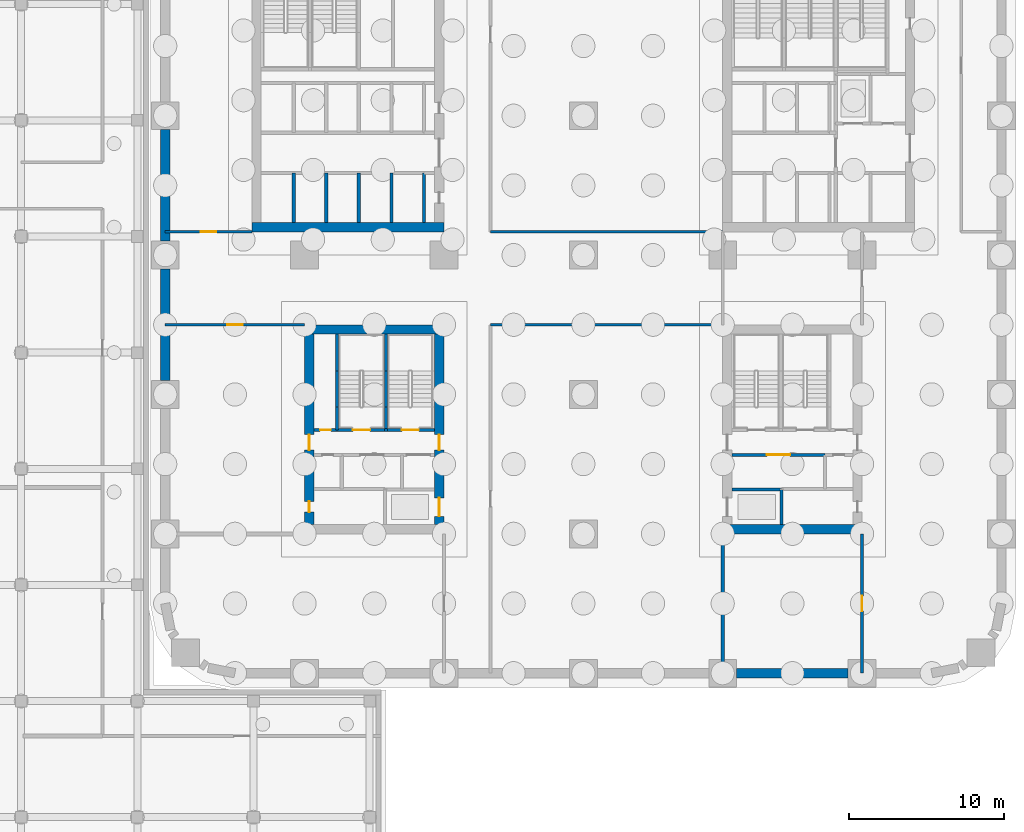
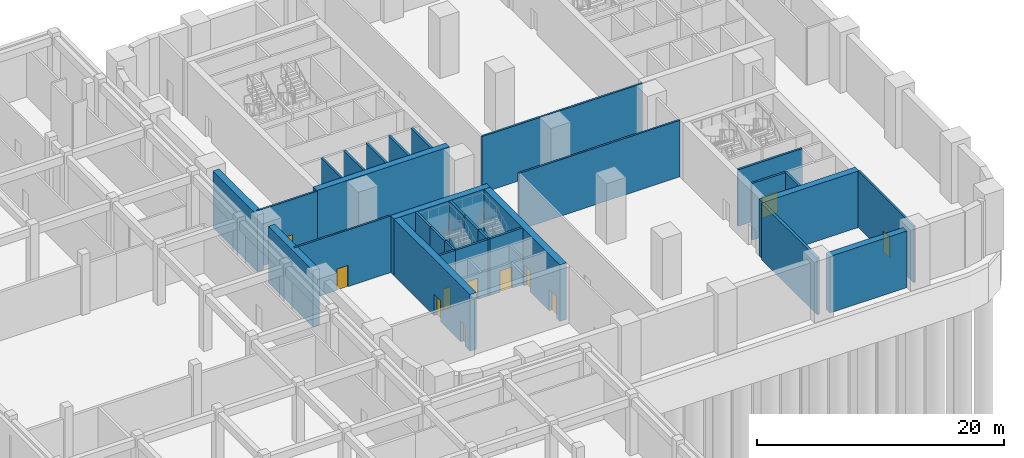
# One storey, part 8 of 26: 32 walls, 11 doors, 11 openings.
"""IFC4 building model written with IfcOpenShell, lengths in metres."""

from ifc_helpers import new_model, si_unit, direction, frame, frame_2d, origin, place, context, subcontext, project, spatial, rectangle, extrude, material, layer, layer_set, type_object, element, fill, save


model = new_model("IFC4")

# Units and contexts
model_context = context("Model", 3, precision=1e-05, world=origin(), true_north=direction((0.0, 1.0)))
body_context = subcontext(model_context, "Body", "Model", "MODEL_VIEW")
ifc_project = project(units=[si_unit("LENGTHUNIT", "METRE"), si_unit("AREAUNIT", "SQUARE_METRE"), si_unit("VOLUMEUNIT", "CUBIC_METRE"), si_unit("PLANEANGLEUNIT", "RADIAN"), si_unit("MASSUNIT", "GRAM", prefix="KILO")], contexts=[model_context])

# Site, building, storey
site_placement = place(None, origin())
site = spatial("IfcSite", under=ifc_project, at=site_placement, CompositionType="ELEMENT")
building_placement = place(site_placement, origin())
building = spatial("IfcBuilding", under=site, at=building_placement, Name="Tessera Arch", CompositionType="ELEMENT")
storey_placement = place(building_placement, frame((0.0, 0.0, -6.0)))
storey = spatial("IfcBuildingStorey", under=building, at=storey_placement, Name="B1", CompositionType="ELEMENT", Elevation=-6.0)

# Walls
ifc_material_1 = material(Name="Concrete C50/60", Category="concrete")
ifc_layer_1 = layer(ifc_material_1, 0.60009765625)
ifc_layer_set_1 = layer_set([ifc_layer_1], Name="Basement wall 600 Concrete C50/60")
wall_type_1 = type_object("IfcWallType", Name="Basement wall 600 Concrete C50/60", PredefinedType="SOLIDWALL", material=ifc_layer_set_1)
for number, where, z_axis, x_axis, name in (
    (1, (0.0, 35.10009765625, 0.0), (0.0, 0.0, 1.0), (0.0, -1.0, 0.0), "Basement wall B1 23"),
    (2, (0.0, 26.10009765625, 0.0), (0.0, 0.0, 1.0), (0.0, -1.0, 0.0), "Basement wall B1 24"),
    (3, (36.89990234375, 0.0, 0.0), (0.0, 0.0, 1.0), (1.0, 0.0, 0.0), "Basement wall B1 35"),
):
    element("IfcWall", number, at=place(storey_placement, frame(where, z_axis=z_axis, x_axis=x_axis)), inside=storey, type_object=wall_type_1, Name=name, PredefinedType="SOLIDWALL", context=body_context, shape_type="SweptSolid", body=[
        extrude(rectangle(XDim=7.2001953125, YDim=0.60009765625, at=frame_2d((3.60009765625, 0.0))), origin(), (0.0, 0.0, 1.0), 5.590087890625),
    ])

# Wall, opening, door
ifc_material_2 = material(Name="Gypsum board on steel stud", Category="steel")
ifc_layer_2 = layer(ifc_material_2, 0.125)
ifc_layer_set_2 = layer_set([ifc_layer_2], Name="Core partition 125 EI 60")
wall_type_2 = type_object("IfcWallType", Name="Core partition 125 EI 60", PredefinedType="PARTITIONING", material=ifc_layer_set_2)
wall_1_placement = place(storey_placement, frame((36.60009765625, 14.10009765625, 0.0), z_axis=(0.0, 0.0, 1.0), x_axis=(1.0, 0.0, 0.0)))
wall_1 = element("IfcWall", 4, at=wall_1_placement, inside=storey, type_object=wall_type_2, Name="B1 C3 partition wall 12", PredefinedType="PARTITIONING", context=body_context, shape_type="SweptSolid", body=[
    extrude(rectangle(XDim=6.0, YDim=0.199951171875, at=frame_2d((3.0, 0.0))), origin(), (0.0, 0.0, 1.0), 5.590087890625),
])
opening_1_placement = place(wall_1_placement, frame((2.25, 0.0, 0.0)))
opening_1 = element("IfcOpeningElement", 5, at=opening_1_placement, cuts=wall_1, Name="Opening B1-C33", PredefinedType="OPENING", context=body_context, shape_type="SweptSolid", body=[
    extrude(rectangle(XDim=1.5, YDim=2.10009765625, at=frame_2d((0.75, 1.050048828125))), frame((0.0, 0.10986328125, 0.0), z_axis=(0.0, -1.0, 0.0), x_axis=(1.0, 0.0, 0.0)), (0.0, 0.0, 1.0), 0.219970703125),
])
ifc_material_3 = material(Name="Steel door leaf", Category="steel")
door_type_1 = type_object("IfcDoorType", Name="Plant door FD60 1500 x 2100", OperationType="DOUBLE_DOOR_SINGLE_SWING", PredefinedType="DOOR", material=ifc_material_3)
door_1_placement = place(opening_1_placement, origin())
door_1 = element("IfcDoor", 6, at=door_1_placement, inside=storey, type_object=door_type_1, Name="B1 C3 door 9 C33 type D08", OperationType="DOUBLE_DOOR_SINGLE_SWING", OverallHeight=2.10009765625, OverallWidth=1.5, PredefinedType="DOOR", context=body_context, shape_type="SweptSolid", body=[
    extrude(rectangle(XDim=1.5, YDim=2.10009765625, at=frame_2d((0.75, 1.050048828125))), frame((0.0, 0.02490234375, 0.0), z_axis=(0.0, -1.0, 0.0), x_axis=(1.0, 0.0, 0.0)), (0.0, 0.0, 1.0), 0.050048828125),
])
fill(opening_1, door_1)

# Walls
ifc_material_4 = material(Name="Concrete C70/85", Category="concrete")
ifc_layer_3 = layer(ifc_material_4, 0.60009765625)
ifc_layer_set_3 = layer_set([ifc_layer_3], Name="Core shell wall 600 C70-85")
wall_type_3 = type_object("IfcWallType", Name="Core shell wall 600 C70-85", PredefinedType="SHEAR", material=ifc_layer_set_3)
wall_2_placement = place(storey_placement, frame((5.60009765625, 28.800048828125, 0.0), z_axis=(0.0, 0.0, 1.0), x_axis=(1.0, 0.0, 0.0)))
element("IfcWall", 7, at=wall_2_placement, inside=storey, type_object=wall_type_3, Name="B1 C2 core wall S", PredefinedType="SHEAR", context=body_context, shape_type="SweptSolid", body=[
    extrude(rectangle(XDim=12.39990234375, YDim=0.60009765625, at=frame_2d((6.199951171875, 0.0))), origin(), (0.0, 0.0, 1.0), 5.590087890625),
])
for number, where, z_axis, x_axis, name in (
    (8, (36.0, 9.300048828125, 0.0), (0.0, 0.0, 1.0), (1.0, 0.0, 0.0), "B1 C3 core wall S"),
    (9, (9.0, 22.199951171875, 0.0), (0.0, 0.0, 1.0), (1.0, 0.0, 0.0), "B1 C4 core wall N"),
):
    element("IfcWall", number, at=place(storey_placement, frame(where, z_axis=z_axis, x_axis=x_axis)), inside=storey, type_object=wall_type_3, Name=name, PredefinedType="SHEAR", context=body_context, shape_type="SweptSolid", body=[
        extrude(rectangle(XDim=9.0, YDim=0.60009765625, at=frame_2d((4.5, 0.0))), origin(), (0.0, 0.0, 1.0), 5.590087890625),
    ])

# Wall, openings, doors
wall_3_placement = place(storey_placement, frame((9.300048828125, 9.60009765625, 0.0), z_axis=(0.0, 0.0, 1.0), x_axis=(0.0, 1.0, 0.0)))
wall_3 = element("IfcWall", 10, at=wall_3_placement, inside=storey, type_object=wall_type_3, Name="B1 C4 core wall W", PredefinedType="SHEAR", context=body_context, shape_type="SweptSolid", body=[
    extrude(rectangle(XDim=12.2998046875, YDim=0.60009765625, at=frame_2d((6.14990234375, 0.0))), origin(), (0.0, 0.0, 1.0), 5.590087890625),
])
opening_2_placement = place(wall_3_placement, frame((0.800048828125, 0.0, 0.0)))
opening_2 = element("IfcOpeningElement", 11, at=opening_2_placement, cuts=wall_3, Name="Opening B1-C39", PredefinedType="OPENING", context=body_context, shape_type="SweptSolid", body=[
    extrude(rectangle(XDim=0.699951171875, YDim=2.10009765625, at=frame_2d((0.35009765625, 1.050048828125))), frame((0.0, 0.31005859375, 0.0), z_axis=(0.0, -1.0, 0.0), x_axis=(1.0, 0.0, 0.0)), (0.0, 0.0, 1.0), 0.6201171875),
])
opening_3_placement = place(wall_3_placement, frame((4.800048828125, 0.0, 0.0)))
opening_3 = element("IfcOpeningElement", 12, at=opening_3_placement, cuts=wall_3, Name="Opening B1-C41", PredefinedType="OPENING", context=body_context, shape_type="SweptSolid", body=[
    extrude(rectangle(XDim=1.0, YDim=2.10009765625, at=frame_2d((0.5, 1.050048828125))), frame((0.0, 0.31005859375, 0.0), z_axis=(0.0, -1.0, 0.0), x_axis=(1.0, 0.0, 0.0)), (0.0, 0.0, 1.0), 0.6201171875),
])
ifc_material_5 = material(Name="Steel door leaf", Category="steel")
door_type_2 = type_object("IfcDoorType", Name="Corridor door FD60 1000 x 2100", OperationType="SINGLE_SWING_LEFT", PredefinedType="DOOR", material=ifc_material_5)
door_2_placement = place(opening_3_placement, origin())
door_2 = element("IfcDoor", 13, at=door_2_placement, inside=storey, type_object=door_type_2, Name="B1 C4 door 8 C41 type D12", OperationType="SINGLE_SWING_LEFT", OverallHeight=2.10009765625, OverallWidth=1.0, PredefinedType="DOOR", context=body_context, shape_type="SweptSolid", body=[
    extrude(rectangle(XDim=1.0, YDim=2.10009765625, at=frame_2d((0.5, 1.050048828125))), frame((0.0, 0.02490234375, 0.0), z_axis=(0.0, -1.0, 0.0), x_axis=(1.0, 0.0, 0.0)), (0.0, 0.0, 1.0), 0.050048828125),
])
fill(opening_3, door_2)
ifc_material_6 = material(Name="Steel door leaf", Category="steel")
door_type_3 = type_object("IfcDoorType", Name="Service shaft door FD60 700 x 2100", OperationType="SINGLE_SWING_LEFT", PredefinedType="DOOR", material=ifc_material_6)
door_3_placement = place(opening_2_placement, origin())
door_3 = element("IfcDoor", 14, at=door_3_placement, inside=storey, type_object=door_type_3, Name="B1 C4 door 6 C39 type D07", OperationType="SINGLE_SWING_LEFT", OverallHeight=2.10009765625, OverallWidth=0.699951171875, PredefinedType="DOOR", context=body_context, shape_type="SweptSolid", body=[
    extrude(rectangle(XDim=0.699951171875, YDim=2.10009765625, at=frame_2d((0.35009765625, 1.050048828125))), frame((0.0, 0.02490234375, 0.0), z_axis=(0.0, -1.0, 0.0), x_axis=(1.0, 0.0, 0.0)), (0.0, 0.0, 1.0), 0.050048828125),
])
fill(opening_2, door_3)

wall_4_placement = place(storey_placement, frame((17.699951171875, 9.60009765625, 0.0), z_axis=(0.0, 0.0, 1.0), x_axis=(0.0, 1.0, 0.0)))
wall_4 = element("IfcWall", 15, at=wall_4_placement, inside=storey, type_object=wall_type_3, Name="B1 C4 core wall E", PredefinedType="SHEAR", context=body_context, shape_type="SweptSolid", body=[
    extrude(rectangle(XDim=12.2998046875, YDim=0.60009765625, at=frame_2d((6.14990234375, 0.0))), origin(), (0.0, 0.0, 1.0), 5.590087890625),
])
opening_4_placement = place(wall_4_placement, frame((0.52490234375, 0.0, 0.0)))
opening_4 = element("IfcOpeningElement", 16, at=opening_4_placement, cuts=wall_4, Name="Opening B1-C34", PredefinedType="OPENING", context=body_context, shape_type="SweptSolid", body=[
    extrude(rectangle(XDim=1.199951171875, YDim=2.10009765625, at=frame_2d((0.60009765625, 1.050048828125))), frame((0.0, 0.31005859375, 0.0), z_axis=(0.0, -1.0, 0.0), x_axis=(1.0, 0.0, 0.0)), (0.0, 0.0, 1.0), 0.6201171875),
])
opening_5_placement = place(wall_4_placement, frame((4.800048828125, 0.0, 0.0)))
opening_5 = element("IfcOpeningElement", 17, at=opening_5_placement, cuts=wall_4, Name="Opening B1-C40", PredefinedType="OPENING", context=body_context, shape_type="SweptSolid", body=[
    extrude(rectangle(XDim=1.0, YDim=2.10009765625, at=frame_2d((0.5, 1.050048828125))), frame((0.0, 0.31005859375, 0.0), z_axis=(0.0, -1.0, 0.0), x_axis=(1.0, 0.0, 0.0)), (0.0, 0.0, 1.0), 0.6201171875),
])
door_4_placement = place(opening_5_placement, origin())
door_4 = element("IfcDoor", 18, at=door_4_placement, inside=storey, type_object=door_type_2, Name="B1 C4 door 7 C40 type D12", OperationType="SINGLE_SWING_LEFT", OverallHeight=2.10009765625, OverallWidth=1.0, PredefinedType="DOOR", context=body_context, shape_type="SweptSolid", body=[
    extrude(rectangle(XDim=1.0, YDim=2.10009765625, at=frame_2d((0.5, 1.050048828125))), frame((0.0, 0.02490234375, 0.0), z_axis=(0.0, -1.0, 0.0), x_axis=(1.0, 0.0, 0.0)), (0.0, 0.0, 1.0), 0.050048828125),
])
fill(opening_5, door_4)
ifc_material_7 = material(Name="Stainless steel AISI 304", Category="steel")
door_type_4 = type_object("IfcDoorType", Name="Sliding landing door 1200 x 2100", OperationType="SLIDING_TO_LEFT", PredefinedType="DOOR", material=ifc_material_7)
door_5_placement = place(opening_4_placement, origin())
door_5 = element("IfcDoor", 19, at=door_5_placement, inside=storey, type_object=door_type_4, Name="B1 SV3 lift landing door C34 type LD", OperationType="SLIDING_TO_LEFT", OverallHeight=2.10009765625, OverallWidth=1.199951171875, PredefinedType="DOOR", context=body_context, shape_type="SweptSolid", body=[
    extrude(rectangle(XDim=1.199951171875, YDim=2.10009765625, at=frame_2d((0.60009765625, 1.050048828125))), frame((0.0, 0.02490234375, 0.0), z_axis=(0.0, -1.0, 0.0), x_axis=(1.0, 0.0, 0.0)), (0.0, 0.0, 1.0), 0.050048828125),
])
fill(opening_4, door_5)

# Wall, opening, door
ifc_material_8 = material(Name="Gypsum board on deep steel stud with mineral wool", Category="steel")
ifc_layer_4 = layer(ifc_material_8, 0.175048828125)
ifc_layer_set_4 = layer_set([ifc_layer_4], Name="Corridor wall 175 EI 60")
wall_type_4 = type_object("IfcWallType", Name="Corridor wall 175 EI 60", PredefinedType="PARTITIONING", material=ifc_layer_set_4)
wall_5_placement = place(storey_placement, frame((0.0, 22.5, 0.0), z_axis=(0.0, 0.0, 1.0), x_axis=(1.0, 0.0, 0.0)))
wall_5 = element("IfcWall", 20, at=wall_5_placement, inside=storey, type_object=wall_type_4, Name="B1 partition 2", PredefinedType="PARTITIONING", context=body_context, shape_type="SweptSolid", body=[
    extrude(rectangle(XDim=9.0, YDim=0.175048828125, at=frame_2d((4.5, 0.0))), origin(), (0.0, 0.0, 1.0), 5.590087890625),
])
opening_6_placement = place(wall_5_placement, frame((4.0, 0.0, 0.0)))
opening_6 = element("IfcOpeningElement", 21, at=opening_6_placement, cuts=wall_5, Name="Opening B1-D010", PredefinedType="OPENING", context=body_context, shape_type="SweptSolid", body=[
    extrude(rectangle(XDim=1.0, YDim=2.10009765625, at=frame_2d((0.5, 1.050048828125))), frame((0.0, 0.097412109375, 0.0), z_axis=(0.0, -1.0, 0.0), x_axis=(1.0, 0.0, 0.0)), (0.0, 0.0, 1.0), 0.195068359375),
])
ifc_material_9 = material(Name="Fire-rated door leaf")
door_type_5 = type_object("IfcDoorType", Name="Entrance door FD60 1000 x 2100", OperationType="SINGLE_SWING_LEFT", PredefinedType="DOOR", material=ifc_material_9)
door_6_placement = place(opening_6_placement, origin())
door_6 = element("IfcDoor", 22, at=door_6_placement, inside=storey, type_object=door_type_5, Name="B1 door D010 type D16", OperationType="SINGLE_SWING_LEFT", OverallHeight=2.10009765625, OverallWidth=1.0, PredefinedType="DOOR", context=body_context, shape_type="SweptSolid", body=[
    extrude(rectangle(XDim=1.0, YDim=2.10009765625, at=frame_2d((0.5, 1.050048828125))), frame((0.0, 0.02490234375, 0.0), z_axis=(0.0, -1.0, 0.0), x_axis=(1.0, 0.0, 0.0)), (0.0, 0.0, 1.0), 0.050048828125),
])
fill(opening_6, door_6)

# Wall
wall_6_placement = place(storey_placement, frame((21.0, 22.5, 0.0), z_axis=(0.0, 0.0, 1.0), x_axis=(1.0, 0.0, 0.0)))
element("IfcWall", 23, at=wall_6_placement, inside=storey, type_object=wall_type_4, Name="B1 partition 3", PredefinedType="PARTITIONING", context=body_context, shape_type="SweptSolid", body=[
    extrude(rectangle(XDim=15.0, YDim=0.175048828125, at=frame_2d((7.5, 0.0))), origin(), (0.0, 0.0, 1.0), 5.590087890625),
])

# Wall, opening, door
wall_7_placement = place(storey_placement, frame((0.0, 28.5, 0.0), z_axis=(0.0, 0.0, 1.0), x_axis=(1.0, 0.0, 0.0)))
wall_7 = element("IfcWall", 24, at=wall_7_placement, inside=storey, type_object=wall_type_4, Name="B1 partition 4", PredefinedType="PARTITIONING", context=body_context, shape_type="SweptSolid", body=[
    extrude(rectangle(XDim=5.60009765625, YDim=0.175048828125, at=frame_2d((2.800048828125, 0.0))), origin(), (0.0, 0.0, 1.0), 5.590087890625),
])
opening_7_placement = place(wall_7_placement, frame((2.300048828125, 0.0, 0.0)))
opening_7 = element("IfcOpeningElement", 25, at=opening_7_placement, cuts=wall_7, Name="Opening B1-D011", PredefinedType="OPENING", context=body_context, shape_type="SweptSolid", body=[
    extrude(rectangle(XDim=1.0, YDim=2.10009765625, at=frame_2d((0.5, 1.050048828125))), frame((0.0, 0.097412109375, 0.0), z_axis=(0.0, -1.0, 0.0), x_axis=(1.0, 0.0, 0.0)), (0.0, 0.0, 1.0), 0.195068359375),
])
door_7_placement = place(opening_7_placement, origin())
door_7 = element("IfcDoor", 26, at=door_7_placement, inside=storey, type_object=door_type_5, Name="B1 door D011 type D16", OperationType="SINGLE_SWING_RIGHT", OverallHeight=2.10009765625, OverallWidth=1.0, PredefinedType="DOOR", context=body_context, shape_type="SweptSolid", body=[
    extrude(rectangle(XDim=1.0, YDim=2.10009765625, at=frame_2d((0.5, 1.050048828125))), frame((0.0, 0.02490234375, 0.0), z_axis=(0.0, -1.0, 0.0), x_axis=(1.0, 0.0, 0.0)), (0.0, 0.0, 1.0), 0.050048828125),
])
fill(opening_7, door_7)

# Wall
wall_8_placement = place(storey_placement, frame((21.0, 28.5, 0.0), z_axis=(0.0, 0.0, 1.0), x_axis=(1.0, 0.0, 0.0)))
element("IfcWall", 27, at=wall_8_placement, inside=storey, type_object=wall_type_4, Name="B1 partition 5", PredefinedType="PARTITIONING", context=body_context, shape_type="SweptSolid", body=[
    extrude(rectangle(XDim=15.0, YDim=0.175048828125, at=frame_2d((7.5, 0.0))), origin(), (0.0, 0.0, 1.0), 5.590087890625),
])

# Wall, opening, door
wall_9_placement = place(storey_placement, frame((45.0, 0.0, 0.0), z_axis=(0.0, 0.0, 1.0), x_axis=(0.0, 1.0, 0.0)))
wall_9 = element("IfcWall", 28, at=wall_9_placement, inside=storey, type_object=wall_type_4, Name="B1 partition 23", PredefinedType="PARTITIONING", context=body_context, shape_type="SweptSolid", body=[
    extrude(rectangle(XDim=9.0, YDim=0.175048828125, at=frame_2d((4.5, 0.0))), origin(), (0.0, 0.0, 1.0), 5.590087890625),
])
opening_8_placement = place(wall_9_placement, frame((4.0, 0.0, 0.0)))
opening_8 = element("IfcOpeningElement", 29, at=opening_8_placement, cuts=wall_9, Name="Opening B1-D005", PredefinedType="OPENING", context=body_context, shape_type="SweptSolid", body=[
    extrude(rectangle(XDim=1.0, YDim=2.10009765625, at=frame_2d((0.5, 1.050048828125))), frame((0.0, 0.097412109375, 0.0), z_axis=(0.0, -1.0, 0.0), x_axis=(1.0, 0.0, 0.0)), (0.0, 0.0, 1.0), 0.195068359375),
])
door_8_placement = place(opening_8_placement, origin())
door_8 = element("IfcDoor", 30, at=door_8_placement, inside=storey, type_object=door_type_5, Name="B1 door D005 type D16", OperationType="SINGLE_SWING_RIGHT", OverallHeight=2.10009765625, OverallWidth=1.0, PredefinedType="DOOR", context=body_context, shape_type="SweptSolid", body=[
    extrude(rectangle(XDim=1.0, YDim=2.10009765625, at=frame_2d((0.5, 1.050048828125))), frame((0.0, 0.02490234375, 0.0), z_axis=(0.0, -1.0, 0.0), x_axis=(1.0, 0.0, 0.0)), (0.0, 0.0, 1.0), 0.050048828125),
])
fill(opening_8, door_8)

# Walls
ifc_material_10 = material(Name="Concrete C40/50", Category="concrete")
ifc_layer_5 = layer(ifc_material_10, 0.199951171875)
ifc_layer_set_5 = layer_set([ifc_layer_5], Name="Lift shaft wall 200 REI 180")
wall_type_5 = type_object("IfcWallType", Name="Lift shaft wall 200 REI 180", PredefinedType="SOLIDWALL", material=ifc_layer_set_5)
for number, where, z_axis, x_axis, name in (
    (31, (8.300048828125, 29.10009765625, 0.0), (0.0, 0.0, 1.0), (0.0, 1.0, 0.0), "B1 C2 shaft wall 1"),
    (32, (10.39990234375, 29.10009765625, 0.0), (0.0, 0.0, 1.0), (0.0, 1.0, 0.0), "B1 C2 shaft wall 6"),
    (33, (12.5, 29.10009765625, 0.0), (0.0, 0.0, 1.0), (0.0, 1.0, 0.0), "B1 C2 shaft wall 9"),
    (34, (14.60009765625, 29.10009765625, 0.0), (0.0, 0.0, 1.0), (0.0, 1.0, 0.0), "B1 C2 shaft wall 14"),
    (35, (16.699951171875, 29.10009765625, 0.0), (0.0, 0.0, 1.0), (0.0, 1.0, 0.0), "B1 C2 shaft wall 17"),
):
    element("IfcWall", number, at=place(storey_placement, frame(where, z_axis=z_axis, x_axis=x_axis)), inside=storey, type_object=wall_type_5, Name=name, PredefinedType="SOLIDWALL", context=body_context, shape_type="SweptSolid", body=[
        extrude(rectangle(XDim=3.199951171875, YDim=0.199951171875, at=frame_2d((1.60009765625, 0.0))), origin(), (0.0, 0.0, 1.0), 5.590087890625),
    ])
wall_10_placement = place(storey_placement, frame((39.800048828125, 9.60009765625, 0.0), z_axis=(0.0, 0.0, 1.0), x_axis=(0.0, 1.0, 0.0)))
element("IfcWall", 36, at=wall_10_placement, inside=storey, type_object=wall_type_5, Name="B1 C3 shaft wall 4", PredefinedType="SOLIDWALL", context=body_context, shape_type="SweptSolid", body=[
    extrude(rectangle(XDim=2.25, YDim=0.199951171875, at=frame_2d((1.125, 0.0))), origin(), (0.0, 0.0, 1.0), 5.590087890625),
])
wall_11_placement = place(storey_placement, frame((36.60009765625, 11.85009765625, 0.0), z_axis=(0.0, 0.0, 1.0), x_axis=(1.0, 0.0, 0.0)))
element("IfcWall", 37, at=wall_11_placement, inside=storey, type_object=wall_type_5, Name="B1 C3 shaft wall 10", PredefinedType="SOLIDWALL", context=body_context, shape_type="SweptSolid", body=[
    extrude(rectangle(XDim=3.199951171875, YDim=0.199951171875, at=frame_2d((1.60009765625, 0.0))), origin(), (0.0, 0.0, 1.0), 5.590087890625),
])
ifc_material_11 = material(Name="Double gypsum board on twin steel stud with acoustic mineral wool", Category="steel")
ifc_layer_6 = layer(ifc_material_11, 0.25)
ifc_layer_set_6 = layer_set([ifc_layer_6], Name="Party wall 250 EI 60")
wall_type_6 = type_object("IfcWallType", Name="Party wall 250 EI 60", PredefinedType="PARTITIONING", material=ifc_layer_set_6)
wall_12_placement = place(storey_placement, frame((36.0, 0.0, 0.0), z_axis=(0.0, 0.0, 1.0), x_axis=(0.0, 1.0, 0.0)))
element("IfcWall", 38, at=wall_12_placement, inside=storey, type_object=wall_type_6, Name="B1 partition 36", PredefinedType="PARTITIONING", context=body_context, shape_type="SweptSolid", body=[
    extrude(rectangle(XDim=9.0, YDim=0.25, at=frame_2d((4.5, 0.0))), origin(), (0.0, 0.0, 1.0), 5.590087890625),
])

# Wall, opening, door
ifc_material_12 = material(Name="Concrete C40/50", Category="concrete")
ifc_layer_7 = layer(ifc_material_12, 0.199951171875)
ifc_layer_set_7 = layer_set([ifc_layer_7], Name="Shaft wall 200 EI 120")
wall_type_7 = type_object("IfcWallType", Name="Shaft wall 200 EI 120", PredefinedType="SOLIDWALL", material=ifc_layer_set_7)
wall_13_placement = place(storey_placement, frame((9.60009765625, 15.699951171875, 0.0), z_axis=(0.0, 0.0, 1.0), x_axis=(1.0, 0.0, 0.0)))
wall_13 = element("IfcWall", 39, at=wall_13_placement, inside=storey, type_object=wall_type_7, Name="B1 C4 shaft wall 15", PredefinedType="SOLIDWALL", context=body_context, shape_type="SweptSolid", body=[
    extrude(rectangle(XDim=1.5, YDim=0.199951171875, at=frame_2d((0.75, 0.0))), origin(), (0.0, 0.0, 1.0), 5.590087890625),
])
opening_9_placement = place(wall_13_placement, frame((0.39990234375, 0.0, 0.0)))
opening_9 = element("IfcOpeningElement", 40, at=opening_9_placement, cuts=wall_13, Name="Opening B1-C37", PredefinedType="OPENING", context=body_context, shape_type="SweptSolid", body=[
    extrude(rectangle(XDim=0.699951171875, YDim=2.10009765625, at=frame_2d((0.35009765625, 1.050048828125))), frame((0.0, 0.10986328125, 0.0), z_axis=(0.0, -1.0, 0.0), x_axis=(1.0, 0.0, 0.0)), (0.0, 0.0, 1.0), 0.219970703125),
])
door_9_placement = place(opening_9_placement, origin())
door_9 = element("IfcDoor", 41, at=door_9_placement, inside=storey, type_object=door_type_3, Name="B1 C4 door 4 C37 type D07", OperationType="SINGLE_SWING_LEFT", OverallHeight=2.10009765625, OverallWidth=0.699951171875, PredefinedType="DOOR", context=body_context, shape_type="SweptSolid", body=[
    extrude(rectangle(XDim=0.699951171875, YDim=2.10009765625, at=frame_2d((0.35009765625, 1.050048828125))), frame((0.0, 0.02490234375, 0.0), z_axis=(0.0, -1.0, 0.0), x_axis=(1.0, 0.0, 0.0)), (0.0, 0.0, 1.0), 0.050048828125),
])
fill(opening_9, door_9)

# Walls
ifc_material_13 = material(Name="Concrete C40/50", Category="concrete")
ifc_layer_8 = layer(ifc_material_13, 0.199951171875)
ifc_layer_set_8 = layer_set([ifc_layer_8], Name="Stair well wall 200 REI 180")
wall_type_8 = type_object("IfcWallType", Name="Stair well wall 200 REI 180", PredefinedType="SOLIDWALL", material=ifc_layer_set_8)
wall_14_placement = place(storey_placement, frame((11.10009765625, 15.699951171875, 0.0), z_axis=(0.0, 0.0, 1.0), x_axis=(0.0, 1.0, 0.0)))
element("IfcWall", 42, at=wall_14_placement, inside=storey, type_object=wall_type_8, Name="B1 C4 shaft wall 1", PredefinedType="SOLIDWALL", context=body_context, shape_type="SweptSolid", body=[
    extrude(rectangle(XDim=1.5, YDim=0.199951171875, at=frame_2d((0.75, 0.0))), origin(), (0.0, 0.0, 1.0), 5.590087890625),
])
wall_15_placement = place(storey_placement, frame((11.10009765625, 17.199951171875, 0.0), z_axis=(0.0, 0.0, 1.0), x_axis=(0.0, 1.0, 0.0)))
element("IfcWall", 43, at=wall_15_placement, inside=storey, type_object=wall_type_8, Name="B1 C4 shaft wall 2", PredefinedType="SOLIDWALL", context=body_context, shape_type="SweptSolid", body=[
    extrude(rectangle(XDim=2.320068359375, YDim=0.199951171875, at=frame_2d((1.16015625, 0.0))), origin(), (0.0, 0.0, 1.0), 5.590087890625),
])
wall_16_placement = place(storey_placement, frame((11.10009765625, 19.52001953125, 0.0), z_axis=(0.0, 0.0, 1.0), x_axis=(0.0, 1.0, 0.0)))
element("IfcWall", 44, at=wall_16_placement, inside=storey, type_object=wall_type_8, Name="B1 C4 shaft wall 3", PredefinedType="SOLIDWALL", context=body_context, shape_type="SweptSolid", body=[
    extrude(rectangle(XDim=2.3798828125, YDim=0.199951171875, at=frame_2d((1.18994140625, 0.0))), origin(), (0.0, 0.0, 1.0), 5.590087890625),
])
wall_17_placement = place(storey_placement, frame((14.25, 15.699951171875, 0.0), z_axis=(0.0, 0.0, 1.0), x_axis=(0.0, 1.0, 0.0)))
element("IfcWall", 45, at=wall_17_placement, inside=storey, type_object=wall_type_8, Name="B1 C4 shaft wall 7", PredefinedType="SOLIDWALL", context=body_context, shape_type="SweptSolid", body=[
    extrude(rectangle(XDim=1.5, YDim=0.199951171875, at=frame_2d((0.75, 0.0))), origin(), (0.0, 0.0, 1.0), 5.590087890625),
])
wall_18_placement = place(storey_placement, frame((14.25, 17.199951171875, 0.0), z_axis=(0.0, 0.0, 1.0), x_axis=(0.0, 1.0, 0.0)))
element("IfcWall", 46, at=wall_18_placement, inside=storey, type_object=wall_type_8, Name="B1 C4 shaft wall 8", PredefinedType="SOLIDWALL", context=body_context, shape_type="SweptSolid", body=[
    extrude(rectangle(XDim=2.320068359375, YDim=0.199951171875, at=frame_2d((1.16015625, 0.0))), origin(), (0.0, 0.0, 1.0), 5.590087890625),
])
wall_19_placement = place(storey_placement, frame((14.25, 19.52001953125, 0.0), z_axis=(0.0, 0.0, 1.0), x_axis=(0.0, 1.0, 0.0)))
element("IfcWall", 47, at=wall_19_placement, inside=storey, type_object=wall_type_8, Name="B1 C4 shaft wall 9", PredefinedType="SOLIDWALL", context=body_context, shape_type="SweptSolid", body=[
    extrude(rectangle(XDim=2.3798828125, YDim=0.199951171875, at=frame_2d((1.18994140625, 0.0))), origin(), (0.0, 0.0, 1.0), 5.590087890625),
])

# Wall, opening, door
wall_20_placement = place(storey_placement, frame((11.10009765625, 15.699951171875, 0.0), z_axis=(0.0, 0.0, 1.0), x_axis=(1.0, 0.0, 0.0)))
wall_20 = element("IfcWall", 48, at=wall_20_placement, inside=storey, type_object=wall_type_8, Name="B1 C4 shaft wall 16", PredefinedType="SOLIDWALL", context=body_context, shape_type="SweptSolid", body=[
    extrude(rectangle(XDim=3.0498046875, YDim=0.199951171875, at=frame_2d((1.52490234375, 0.0))), origin(), (0.0, 0.0, 1.0), 5.590087890625),
])
opening_10_placement = place(wall_20_placement, frame((1.02490234375, 0.0, 0.0)))
opening_10 = element("IfcOpeningElement", 49, at=opening_10_placement, cuts=wall_20, Name="Opening B1-C36", PredefinedType="OPENING", context=body_context, shape_type="SweptSolid", body=[
    extrude(rectangle(XDim=1.10009765625, YDim=2.10009765625, at=frame_2d((0.550048828125, 1.050048828125))), frame((0.0, 0.10986328125, 0.0), z_axis=(0.0, -1.0, 0.0), x_axis=(1.0, 0.0, 0.0)), (0.0, 0.0, 1.0), 0.219970703125),
])
ifc_material_14 = material(Name="Steel door leaf", Category="steel")
door_type_6 = type_object("IfcDoorType", Name="Stair door FD60 1100 x 2100", OperationType="SINGLE_SWING_LEFT", PredefinedType="DOOR", material=ifc_material_14)
door_10_placement = place(opening_10_placement, origin())
door_10 = element("IfcDoor", 50, at=door_10_placement, inside=storey, type_object=door_type_6, Name="B1 C4 door 3 C36 type D05", OperationType="SINGLE_SWING_RIGHT", OverallHeight=2.10009765625, OverallWidth=1.10009765625, PredefinedType="DOOR", context=body_context, shape_type="SweptSolid", body=[
    extrude(rectangle(XDim=1.10009765625, YDim=2.10009765625, at=frame_2d((0.550048828125, 1.050048828125))), frame((0.0, 0.02490234375, 0.0), z_axis=(0.0, -1.0, 0.0), x_axis=(1.0, 0.0, 0.0)), (0.0, 0.0, 1.0), 0.050048828125),
])
fill(opening_10, door_10)

# Wall
wall_21_placement = place(storey_placement, frame((14.14990234375, 15.699951171875, 0.0), z_axis=(0.0, 0.0, 1.0), x_axis=(1.0, 0.0, 0.0)))
element("IfcWall", 51, at=wall_21_placement, inside=storey, type_object=wall_type_8, Name="B1 C4 shaft wall 17", PredefinedType="SOLIDWALL", context=body_context, shape_type="SweptSolid", body=[
    extrude(rectangle(XDim=0.2001953125, YDim=0.199951171875, at=frame_2d((0.10009765625, 0.0))), origin(), (0.0, 0.0, 1.0), 5.590087890625),
])

# Wall, opening, door
wall_22_placement = place(storey_placement, frame((14.35009765625, 15.699951171875, 0.0), z_axis=(0.0, 0.0, 1.0), x_axis=(1.0, 0.0, 0.0)))
wall_22 = element("IfcWall", 52, at=wall_22_placement, inside=storey, type_object=wall_type_8, Name="B1 C4 shaft wall 18", PredefinedType="SOLIDWALL", context=body_context, shape_type="SweptSolid", body=[
    extrude(rectangle(XDim=3.0498046875, YDim=0.199951171875, at=frame_2d((1.52490234375, 0.0))), origin(), (0.0, 0.0, 1.0), 5.590087890625),
])
opening_11_placement = place(wall_22_placement, frame((0.925048828125, 0.0, 0.0)))
opening_11 = element("IfcOpeningElement", 53, at=opening_11_placement, cuts=wall_22, Name="Opening B1-C35", PredefinedType="OPENING", context=body_context, shape_type="SweptSolid", body=[
    extrude(rectangle(XDim=1.10009765625, YDim=2.10009765625, at=frame_2d((0.550048828125, 1.050048828125))), frame((0.0, 0.10986328125, 0.0), z_axis=(0.0, -1.0, 0.0), x_axis=(1.0, 0.0, 0.0)), (0.0, 0.0, 1.0), 0.219970703125),
])
door_11_placement = place(opening_11_placement, origin())
door_11 = element("IfcDoor", 54, at=door_11_placement, inside=storey, type_object=door_type_6, Name="B1 C4 door 2 C35 type D05", OperationType="SINGLE_SWING_LEFT", OverallHeight=2.10009765625, OverallWidth=1.10009765625, PredefinedType="DOOR", context=body_context, shape_type="SweptSolid", body=[
    extrude(rectangle(XDim=1.10009765625, YDim=2.10009765625, at=frame_2d((0.550048828125, 1.050048828125))), frame((0.0, 0.02490234375, 0.0), z_axis=(0.0, -1.0, 0.0), x_axis=(1.0, 0.0, 0.0)), (0.0, 0.0, 1.0), 0.050048828125),
])
fill(opening_11, door_11)

save(model, "model.ifc")
